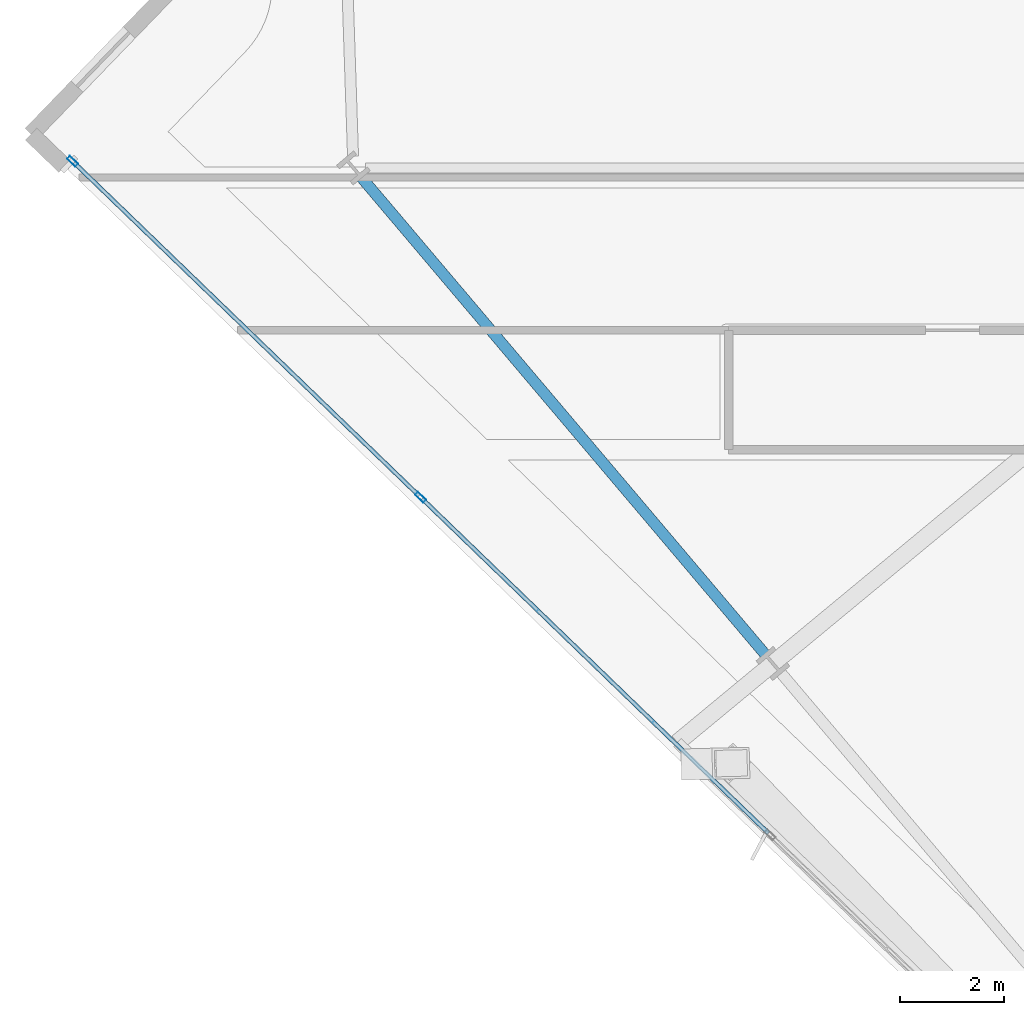
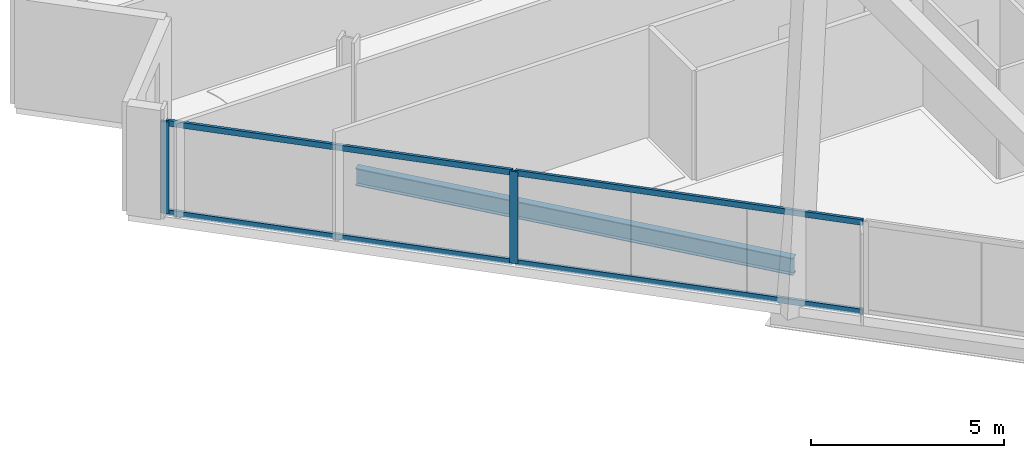
# One storey, part 5 of 33: 6 members, 1 beam, 1 element without a shape of its own.
"""IFC4 building model written with IfcOpenShell, lengths in metres."""

from ifc_helpers import new_model, si_unit, direction, frame, origin, origin_2d, place, context, subcontext, project, spatial, hollow_rectangle, i_section, extrude, material, material_profile, profile_set, type_object, element, aggregate, save


model = new_model("IFC4")

# Units and contexts
model_context = context("Model", 3, precision=1e-05, world=origin(), true_north=direction((0.0, 1.0)))
body_context = subcontext(model_context, "Body", "Model", "MODEL_VIEW")
ifc_project = project(units=[si_unit("LENGTHUNIT", "METRE"), si_unit("AREAUNIT", "SQUARE_METRE"), si_unit("VOLUMEUNIT", "CUBIC_METRE"), si_unit("PLANEANGLEUNIT", "RADIAN"), si_unit("MASSUNIT", "GRAM", prefix="KILO")], contexts=[model_context])

# Site, building, storey
site_placement = place(None, origin())
site = spatial("IfcSite", under=ifc_project, at=site_placement, CompositionType="ELEMENT")
building_placement = place(site_placement, origin())
building = spatial("IfcBuilding", under=site, at=building_placement, Name="Haldenkirk Collegiate Tower", CompositionType="ELEMENT")
storey_placement = place(building_placement, frame((0.0, 0.0, 181.949951171875)))
storey = spatial("IfcBuildingStorey", under=building, at=storey_placement, Name="L45", CompositionType="ELEMENT", Elevation=181.949951171875)

# Beam
ifc_material_1 = material(Name="Steel ASTM A992 Grade 50", Category="steel")
ifc_material_profile_1 = material_profile(ifc_material_1, i_section(OverallWidth=0.2119140625, OverallDepth=0.5439453125, WebThickness=0.01318359375, FlangeThickness=0.021240234375, at=origin_2d()), Name="W21X83")
ifc_profile_set_1 = profile_set([ifc_material_profile_1], Name="Steel ASTM A992 Grade 50")
beam_type = type_object("IfcBeamType", Name="BM-SPANDREL-W21X83", PredefinedType="SPANDREL", material=ifc_profile_set_1)
beam_placement = place(storey_placement, frame((11.111328125, 20.80859375, -0.56201171875), z_axis=(0.646126367676, -0.763230448157, 0.0), x_axis=(0.763230448157, 0.646126367676, 0.0)))
element("IfcBeam", 1, at=beam_placement, inside=storey, type_object=beam_type, Name="L45 perimeter spandrel beam 14", PredefinedType="SPANDREL", context=body_context, shape_type="SweptSolid", body=[
    extrude(i_section(OverallWidth=0.2119140625, OverallDepth=0.5439453125, WebThickness=0.01318359375, FlangeThickness=0.021240234375, at=origin_2d()), origin(), (0.0, 0.0, 1.0), 12.06494140625),
])

# Curtain wall, members
ifc_material_2 = material(Name="Anodised architectural bronze aluminium", Category="aluminium")
curtain_wall_type = type_object("IfcCurtainWallType", Name="CW-SYS1-CONVEX-LOW", PredefinedType="USERDEFINED", material=ifc_material_2)
curtain_wall_placement = place(storey_placement, origin())
curtain_wall = element("IfcCurtainWall", 2, at=curtain_wall_placement, inside=storey, type_object=curtain_wall_type, Name="L45 Lower tower convex bronze-framed unitised curtain wall", ObjectType="UNITISED CURTAIN WALL", PredefinedType="USERDEFINED")
ifc_material_profile_2 = material_profile(ifc_material_2, hollow_rectangle(XDim=0.080078125, YDim=0.219970703125, WallThickness=0.0048828125, at=origin_2d()), Name="CW-MUL-1A")
ifc_profile_set_2 = profile_set([ifc_material_profile_2], Name="Anodised architectural bronze aluminium")
member_type_1 = type_object("IfcMemberType", Name="CW-MUL-1A", PredefinedType="MULLION", material=ifc_profile_set_2)
member_1_placement = place(storey_placement, frame((12.25830078125, 14.6318359375, 0.0), z_axis=(0.0, 0.0, 1.0), x_axis=(-0.694657514243, -0.719340627176, 0.0)))
member_1 = element("IfcMember", 3, at=member_1_placement, type_object=member_type_1, Name="CW-1A mullion 4", PredefinedType="MULLION", context=body_context, shape_type="SweptSolid", body=[
    extrude(hollow_rectangle(XDim=0.080078125, YDim=0.219970703125, WallThickness=0.0048828125, at=origin_2d()), origin(), (0.0, 0.0, 1.0), 2.9111328125),
])
member_2_placement = place(storey_placement, frame((5.5478515625, 21.112060546875, 0.0), z_axis=(0.0, 0.0, 1.0), x_axis=(-0.694657514243, -0.719340627176, 0.0)))
member_2 = element("IfcMember", 4, at=member_2_placement, type_object=member_type_1, Name="CW-1A mullion 5", PredefinedType="MULLION", context=body_context, shape_type="SweptSolid", body=[
    extrude(hollow_rectangle(XDim=0.080078125, YDim=0.219970703125, WallThickness=0.0048828125, at=origin_2d()), origin(), (0.0, 0.0, 1.0), 2.9111328125),
])
ifc_material_profile_3 = material_profile(ifc_material_2, hollow_rectangle(XDim=0.080078125, YDim=0.179931640625, WallThickness=0.0048828125, at=origin_2d()), Name="CW-TRN-1A")
ifc_profile_set_3 = profile_set([ifc_material_profile_3], Name="Anodised architectural bronze aluminium")
member_type_2 = type_object("IfcMemberType", Name="CW-TRN-1A", PredefinedType="USERDEFINED", material=ifc_profile_set_3)
member_3_placement = place(storey_placement, frame((18.968994140625, 8.1513671875, 0.0400390625), z_axis=(-0.719338960815, 0.69465923981, 0.0), x_axis=(-0.69465923981, -0.719338960815, 0.0)))
member_3 = element("IfcMember", 5, at=member_3_placement, type_object=member_type_2, Name="CW-1A transom 3.1", ObjectType="TRANSOM", PredefinedType="USERDEFINED", context=body_context, shape_type="SweptSolid", body=[
    extrude(hollow_rectangle(XDim=0.080078125, YDim=0.179931640625, WallThickness=0.0048828125, at=origin_2d()), origin(), (0.0, 0.0, 1.0), 9.288818359375),
])
member_4_placement = place(storey_placement, frame((18.968994140625, 8.1513671875, 2.87109375), z_axis=(-0.719338960815, 0.69465923981, 0.0), x_axis=(-0.69465923981, -0.719338960815, 0.0)))
member_4 = element("IfcMember", 6, at=member_4_placement, type_object=member_type_2, Name="CW-1A transom 3.2", ObjectType="TRANSOM", PredefinedType="USERDEFINED", context=body_context, shape_type="SweptSolid", body=[
    extrude(hollow_rectangle(XDim=0.080078125, YDim=0.179931640625, WallThickness=0.0048828125, at=origin_2d()), origin(), (0.0, 0.0, 1.0), 9.288818359375),
])
member_5_placement = place(storey_placement, frame((12.2294921875, 14.659423828125, 0.0400390625), z_axis=(-0.719326861715, 0.694671768546, 0.0), x_axis=(-0.694671768546, -0.719326861715, 0.0)))
member_5 = element("IfcMember", 7, at=member_5_placement, type_object=member_type_2, Name="CW-1A transom 4.1", ObjectType="TRANSOM", PredefinedType="USERDEFINED", context=body_context, shape_type="SweptSolid", body=[
    extrude(hollow_rectangle(XDim=0.080078125, YDim=0.179931640625, WallThickness=0.0048828125, at=origin_2d()), origin(), (0.0, 0.0, 1.0), 9.248779296875),
])
member_6_placement = place(storey_placement, frame((12.2294921875, 14.659423828125, 2.87109375), z_axis=(-0.719326861715, 0.694671768546, 0.0), x_axis=(-0.694671768546, -0.719326861715, 0.0)))
member_6 = element("IfcMember", 8, at=member_6_placement, type_object=member_type_2, Name="CW-1A transom 4.2", ObjectType="TRANSOM", PredefinedType="USERDEFINED", context=body_context, shape_type="SweptSolid", body=[
    extrude(hollow_rectangle(XDim=0.080078125, YDim=0.179931640625, WallThickness=0.0048828125, at=origin_2d()), origin(), (0.0, 0.0, 1.0), 9.248779296875),
])
aggregate(curtain_wall, [member_1, member_2, member_3, member_4, member_5, member_6])

save(model, "model.ifc")
